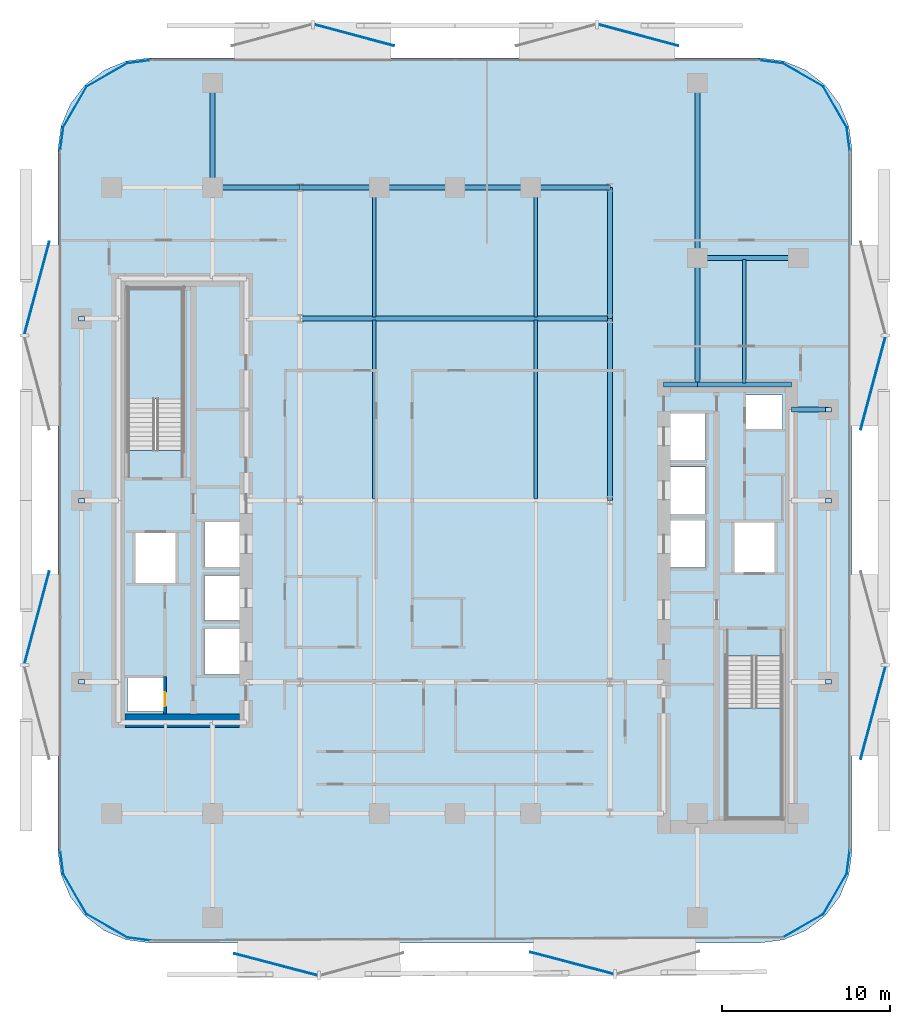
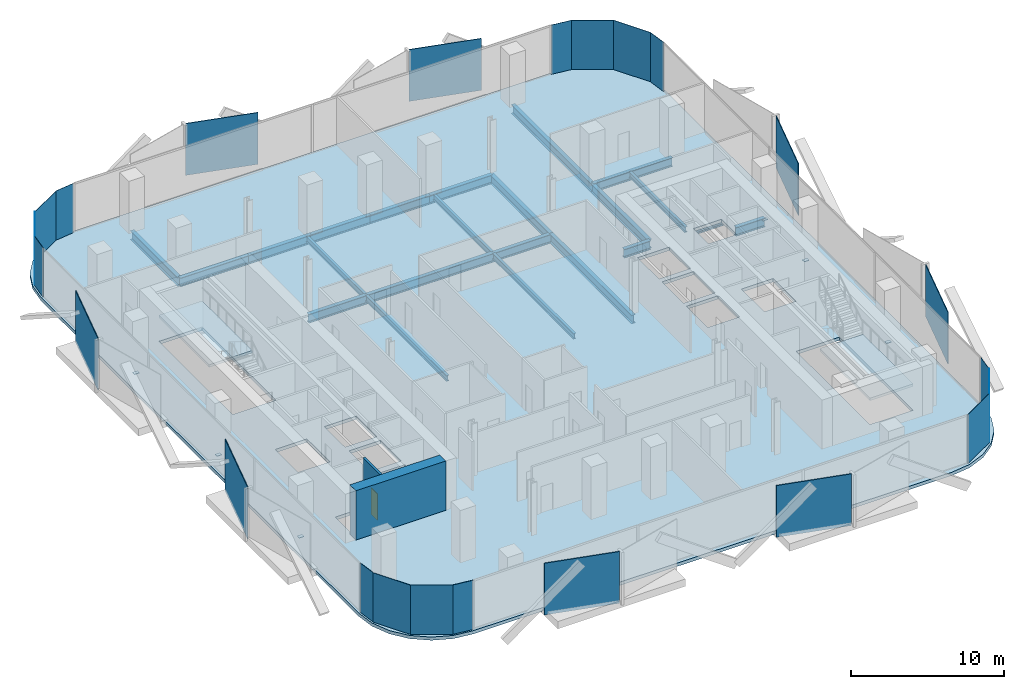
# One storey, part 2 of 15: 29 plates, 20 beams, 3 slabs, 2 walls, 1 door, 1 opening, 2 elements without a shape of their own.
"""IFC4 building model written with IfcOpenShell, lengths in metres."""

from ifc_helpers import new_model, si_unit, direction, frame, frame_2d, origin, origin_2d, place, context, subcontext, project, spatial, polyline, rectangle, i_section, outline, extrude, material, layer, layer_set, material_profile, profile_set, type_object, element, fill, aggregate, save


model = new_model("IFC4")

# Units and contexts
model_context = context("Model", 3, precision=1e-05, world=origin(), true_north=direction((0.0, 1.0)))
body_context = subcontext(model_context, "Body", "Model", "MODEL_VIEW")
ifc_project = project(units=[si_unit("LENGTHUNIT", "METRE"), si_unit("AREAUNIT", "SQUARE_METRE"), si_unit("VOLUMEUNIT", "CUBIC_METRE"), si_unit("PLANEANGLEUNIT", "RADIAN"), si_unit("MASSUNIT", "GRAM", prefix="KILO")], contexts=[model_context])

# Site, building, storey
site_placement = place(None, origin())
site = spatial("IfcSite", under=ifc_project, at=site_placement, CompositionType="ELEMENT")
building_placement = place(site_placement, origin())
building = spatial("IfcBuilding", under=site, at=building_placement, Name="Khairoan Windgate Tower", CompositionType="ELEMENT")
storey_placement = place(building_placement, frame((0.0, 0.0, 105.800048828125)))
storey = spatial("IfcBuildingStorey", under=building, at=storey_placement, Name="L24", CompositionType="ELEMENT", Elevation=105.800048828125)

# Beams
ifc_material_1 = material(Name="Steel S355", Category="steel")
ifc_material_profile_1 = material_profile(ifc_material_1, i_section(OverallWidth=0.300048828125, OverallDepth=0.699951171875, WebThickness=0.012939453125, FlangeThickness=0.02392578125, FilletRadius=0.02587890625, at=origin_2d()))
ifc_profile_set_1 = profile_set([ifc_material_profile_1], Name="Steel S355")
beam_type_1 = type_object("IfcBeamType", Name="Beam B-G3 H700x300x13x24", PredefinedType="BEAM", material=ifc_profile_set_1)
beam_1_placement = place(storey_placement, frame((20.0, 5.39990234375, -0.610107421875), z_axis=(1.0, 0.0, 0.0), x_axis=(0.0, 1.0, 0.0)))
element("IfcBeam", 1, at=beam_1_placement, inside=storey, type_object=beam_type_1, Name="L24 E-W Primary Girder 19", PredefinedType="BEAM", context=body_context, shape_type="SweptSolid", body=[
    extrude(i_section(OverallWidth=0.300048828125, OverallDepth=0.699951171875, WebThickness=0.012939453125, FlangeThickness=0.02392578125, FilletRadius=0.02587890625, at=origin_2d()), origin(), (0.0, 0.0, 1.0), 2.199951171875),
])
beam_2_placement = place(storey_placement, frame((12.39990234375, 6.89990234375, -0.610107421875), z_axis=(1.0, 0.0, 0.0), x_axis=(0.0, 1.0, 0.0)))
element("IfcBeam", 2, at=beam_2_placement, inside=storey, type_object=beam_type_1, Name="L24 E-W Primary Girder 20", PredefinedType="BEAM", context=body_context, shape_type="SweptSolid", body=[
    extrude(i_section(OverallWidth=0.300048828125, OverallDepth=0.699951171875, WebThickness=0.012939453125, FlangeThickness=0.02392578125, FilletRadius=0.02587890625, at=origin_2d()), origin(), (0.0, 0.0, 1.0), 2.0),
])
beam_3_placement = place(storey_placement, frame((14.39990234375, 6.89990234375, -0.610107421875), z_axis=(1.0, 0.0, 0.0), x_axis=(0.0, 1.0, 0.0)))
element("IfcBeam", 3, at=beam_3_placement, inside=storey, type_object=beam_type_1, Name="L24 E-W Primary Girder 21", PredefinedType="BEAM", context=body_context, shape_type="SweptSolid", body=[
    extrude(i_section(OverallWidth=0.300048828125, OverallDepth=0.699951171875, WebThickness=0.012939453125, FlangeThickness=0.02392578125, FilletRadius=0.02587890625, at=origin_2d()), origin(), (0.0, 0.0, 1.0), 5.60009765625),
])
beam_4_placement = place(storey_placement, frame((-9.199951171875, 10.800048828125, -0.610107421875), z_axis=(1.0, 0.0, 0.0), x_axis=(0.0, 1.0, 0.0)))
element("IfcBeam", 4, at=beam_4_placement, inside=storey, type_object=beam_type_1, Name="L24 E-W Primary Girder 24", PredefinedType="BEAM", context=body_context, shape_type="SweptSolid", body=[
    extrude(i_section(OverallWidth=0.300048828125, OverallDepth=0.699951171875, WebThickness=0.012939453125, FlangeThickness=0.02392578125, FilletRadius=0.02587890625, at=origin_2d()), origin(), (0.0, 0.0, 1.0), 18.39990234375),
])
beam_5_placement = place(storey_placement, frame((14.39990234375, 14.39990234375, -0.610107421875), z_axis=(1.0, 0.0, 0.0), x_axis=(0.0, 1.0, 0.0)))
element("IfcBeam", 5, at=beam_5_placement, inside=storey, type_object=beam_type_1, Name="L24 E-W Primary Girder 27", PredefinedType="BEAM", context=body_context, shape_type="SweptSolid", body=[
    extrude(i_section(OverallWidth=0.300048828125, OverallDepth=0.699951171875, WebThickness=0.012939453125, FlangeThickness=0.02392578125, FilletRadius=0.02587890625, at=origin_2d()), origin(), (0.0, 0.0, 1.0), 6.0),
])
beam_6_placement = place(storey_placement, frame((-14.39990234375, 18.60009765625, -0.610107421875), z_axis=(1.0, 0.0, 0.0), x_axis=(0.0, 1.0, 0.0)))
element("IfcBeam", 6, at=beam_6_placement, inside=storey, type_object=beam_type_1, Name="L24 E-W Primary Girder 29", PredefinedType="BEAM", context=body_context, shape_type="SweptSolid", body=[
    extrude(i_section(OverallWidth=0.300048828125, OverallDepth=0.699951171875, WebThickness=0.012939453125, FlangeThickness=0.02392578125, FilletRadius=0.02587890625, at=origin_2d()), origin(), (0.0, 0.0, 1.0), 5.199951171875),
])
beam_7_placement = place(storey_placement, frame((-9.199951171875, 18.60009765625, -0.610107421875), z_axis=(1.0, 0.0, 0.0), x_axis=(0.0, 1.0, 0.0)))
element("IfcBeam", 7, at=beam_7_placement, inside=storey, type_object=beam_type_1, Name="L24 E-W Primary Girder 30", PredefinedType="BEAM", context=body_context, shape_type="SweptSolid", body=[
    extrude(i_section(OverallWidth=0.300048828125, OverallDepth=0.699951171875, WebThickness=0.012939453125, FlangeThickness=0.02392578125, FilletRadius=0.02587890625, at=origin_2d()), origin(), (0.0, 0.0, 1.0), 4.699951171875),
])
for number, where, z_axis, x_axis, name in (
    (8, (-4.5, 18.60009765625, -0.610107421875), (1.0, 0.0, 0.0), (0.0, 1.0, 0.0), "L24 E-W Primary Girder 31"),
    (9, (0.0, 18.60009765625, -0.610107421875), (1.0, 0.0, 0.0), (0.0, 1.0, 0.0), "L24 E-W Primary Girder 32"),
):
    element("IfcBeam", number, at=place(storey_placement, frame(where, z_axis=z_axis, x_axis=x_axis)), inside=storey, type_object=beam_type_1, Name=name, PredefinedType="BEAM", context=body_context, shape_type="SweptSolid", body=[
        extrude(i_section(OverallWidth=0.300048828125, OverallDepth=0.699951171875, WebThickness=0.012939453125, FlangeThickness=0.02392578125, FilletRadius=0.02587890625, at=origin_2d()), origin(), (0.0, 0.0, 1.0), 4.5),
    ])
beam_8_placement = place(storey_placement, frame((4.5, 18.60009765625, -0.610107421875), z_axis=(1.0, 0.0, 0.0), x_axis=(0.0, 1.0, 0.0)))
element("IfcBeam", 10, at=beam_8_placement, inside=storey, type_object=beam_type_1, Name="L24 E-W Primary Girder 33", PredefinedType="BEAM", context=body_context, shape_type="SweptSolid", body=[
    extrude(i_section(OverallWidth=0.300048828125, OverallDepth=0.699951171875, WebThickness=0.012939453125, FlangeThickness=0.02392578125, FilletRadius=0.02587890625, at=origin_2d()), origin(), (0.0, 0.0, 1.0), 4.699951171875),
])
beam_9_placement = place(storey_placement, frame((-14.39990234375, 18.60009765625, -0.610107421875), z_axis=(0.0, 1.0, 0.0), x_axis=(-1.0, 0.0, 0.0)))
element("IfcBeam", 11, at=beam_9_placement, inside=storey, type_object=beam_type_1, Name="L24 N-S Primary Beam 43", PredefinedType="BEAM", context=body_context, shape_type="SweptSolid", body=[
    extrude(i_section(OverallWidth=0.300048828125, OverallDepth=0.699951171875, WebThickness=0.012939453125, FlangeThickness=0.02392578125, FilletRadius=0.02587890625, at=origin_2d()), origin(), (0.0, 0.0, 1.0), 6.199951171875),
])
beam_10_placement = place(storey_placement, frame((9.199951171875, 0.0, -0.610107421875), z_axis=(0.0, 1.0, 0.0), x_axis=(-1.0, 0.0, 0.0)))
element("IfcBeam", 12, at=beam_10_placement, inside=storey, type_object=beam_type_1, Name="L24 N-S Primary Beam 53", PredefinedType="BEAM", context=body_context, shape_type="SweptSolid", body=[
    extrude(i_section(OverallWidth=0.300048828125, OverallDepth=0.699951171875, WebThickness=0.012939453125, FlangeThickness=0.02392578125, FilletRadius=0.02587890625, at=origin_2d()), origin(), (0.0, 0.0, 1.0), 10.800048828125),
])
beam_11_placement = place(storey_placement, frame((9.199951171875, 10.800048828125, -0.610107421875), z_axis=(0.0, 1.0, 0.0), x_axis=(-1.0, 0.0, 0.0)))
element("IfcBeam", 13, at=beam_11_placement, inside=storey, type_object=beam_type_1, Name="L24 N-S Primary Beam 54", PredefinedType="BEAM", context=body_context, shape_type="SweptSolid", body=[
    extrude(i_section(OverallWidth=0.300048828125, OverallDepth=0.699951171875, WebThickness=0.012939453125, FlangeThickness=0.02392578125, FilletRadius=0.02587890625, at=origin_2d()), origin(), (0.0, 0.0, 1.0), 7.800048828125),
])
beam_12_placement = place(storey_placement, frame((14.39990234375, 6.89990234375, -0.610107421875), z_axis=(0.0, 1.0, 0.0), x_axis=(-1.0, 0.0, 0.0)))
element("IfcBeam", 14, at=beam_12_placement, inside=storey, type_object=beam_type_1, Name="L24 N-S Primary Beam 57", PredefinedType="BEAM", context=body_context, shape_type="SweptSolid", body=[
    extrude(i_section(OverallWidth=0.300048828125, OverallDepth=0.699951171875, WebThickness=0.012939453125, FlangeThickness=0.02392578125, FilletRadius=0.02587890625, at=origin_2d()), origin(), (0.0, 0.0, 1.0), 7.5),
])
beam_13_placement = place(storey_placement, frame((14.39990234375, 14.39990234375, -0.610107421875), z_axis=(0.0, 1.0, 0.0), x_axis=(-1.0, 0.0, 0.0)))
element("IfcBeam", 15, at=beam_13_placement, inside=storey, type_object=beam_type_1, Name="L24 N-S Primary Beam 58", PredefinedType="BEAM", context=body_context, shape_type="SweptSolid", body=[
    extrude(i_section(OverallWidth=0.300048828125, OverallDepth=0.699951171875, WebThickness=0.012939453125, FlangeThickness=0.02392578125, FilletRadius=0.02587890625, at=origin_2d()), origin(), (0.0, 0.0, 1.0), 10.400146484375),
])
ifc_material_2 = material(Name="Steel S355", Category="steel")
ifc_material_profile_2 = material_profile(ifc_material_2, i_section(OverallWidth=0.199951171875, OverallDepth=0.449951171875, WebThickness=0.009033203125, FlangeThickness=0.013916015625, FilletRadius=0.01806640625, at=origin_2d()))
ifc_profile_set_2 = profile_set([ifc_material_profile_2], Name="Steel S355")
beam_type_2 = type_object("IfcBeamType", Name="Beam J-S3 H450x200x9x14", PredefinedType="JOIST", material=ifc_profile_set_2)
beam_14_placement = place(storey_placement, frame((-4.800048828125, 0.090087890625, -0.485107421875), z_axis=(0.0, 1.0, 0.0), x_axis=(-1.0, 0.0, 0.0)))
element("IfcBeam", 16, at=beam_14_placement, inside=storey, type_object=beam_type_2, Name="L24 Secondary Floor Joist 05", PredefinedType="JOIST", context=body_context, shape_type="SweptSolid", body=[
    extrude(i_section(OverallWidth=0.199951171875, OverallDepth=0.449951171875, WebThickness=0.009033203125, FlangeThickness=0.013916015625, FilletRadius=0.01806640625, at=origin_2d()), origin(), (0.0, 0.0, 1.0), 10.619873046875),
])
beam_15_placement = place(storey_placement, frame((-4.800048828125, 10.889892578125, -0.485107421875), z_axis=(0.0, 1.0, 0.0), x_axis=(-1.0, 0.0, 0.0)))
element("IfcBeam", 17, at=beam_15_placement, inside=storey, type_object=beam_type_2, Name="L24 Secondary Floor Joist 06", PredefinedType="JOIST", context=body_context, shape_type="SweptSolid", body=[
    extrude(i_section(OverallWidth=0.199951171875, OverallDepth=0.449951171875, WebThickness=0.009033203125, FlangeThickness=0.013916015625, FilletRadius=0.01806640625, at=origin_2d()), origin(), (0.0, 0.0, 1.0), 7.6201171875),
])
beam_16_placement = place(storey_placement, frame((4.800048828125, 0.090087890625, -0.485107421875), z_axis=(0.0, 1.0, 0.0), x_axis=(-1.0, 0.0, 0.0)))
element("IfcBeam", 18, at=beam_16_placement, inside=storey, type_object=beam_type_2, Name="L24 Secondary Floor Joist 09", PredefinedType="JOIST", context=body_context, shape_type="SweptSolid", body=[
    extrude(i_section(OverallWidth=0.199951171875, OverallDepth=0.449951171875, WebThickness=0.009033203125, FlangeThickness=0.013916015625, FilletRadius=0.01806640625, at=origin_2d()), origin(), (0.0, 0.0, 1.0), 10.619873046875),
])
beam_17_placement = place(storey_placement, frame((4.800048828125, 10.889892578125, -0.485107421875), z_axis=(0.0, 1.0, 0.0), x_axis=(-1.0, 0.0, 0.0)))
element("IfcBeam", 19, at=beam_17_placement, inside=storey, type_object=beam_type_2, Name="L24 Secondary Floor Joist 10", PredefinedType="JOIST", context=body_context, shape_type="SweptSolid", body=[
    extrude(i_section(OverallWidth=0.199951171875, OverallDepth=0.449951171875, WebThickness=0.009033203125, FlangeThickness=0.013916015625, FilletRadius=0.01806640625, at=origin_2d()), origin(), (0.0, 0.0, 1.0), 7.6201171875),
])
beam_18_placement = place(storey_placement, frame((17.199951171875, 6.989990234375, -0.485107421875), z_axis=(0.0, 1.0, 0.0), x_axis=(-1.0, 0.0, 0.0)))
element("IfcBeam", 20, at=beam_18_placement, inside=storey, type_object=beam_type_2, Name="L24 Secondary Floor Joist 11", PredefinedType="JOIST", context=body_context, shape_type="SweptSolid", body=[
    extrude(i_section(OverallWidth=0.199951171875, OverallDepth=0.449951171875, WebThickness=0.009033203125, FlangeThickness=0.013916015625, FilletRadius=0.01806640625, at=origin_2d()), origin(), (0.0, 0.0, 1.0), 7.320068359375),
])

# Plates
ifc_material_3 = material(Name="Low-E Solar Control Laminated Glass", Category="glass")
ifc_layer_1 = layer(ifc_material_3, 0.030029296875, Name="Low-E Solar Control Laminated Glass")
ifc_layer_set_1 = layer_set([ifc_layer_1], Name="Low-E Solar Control Laminated Glass")
plate_type_1 = type_object("IfcPlateType", Name="Aerodynamic Wind-Corner Curved Glazing Plate", PredefinedType="USERDEFINED", material=ifc_layer_set_1)
plate_placement = place(storey_placement, frame((-18.788818359375, -26.068115234375, 0.0), z_axis=(0.0, 0.0, 1.0), x_axis=(-0.991444861374, 0.13052619222, 0.0)))
element("IfcPlate", 21, at=plate_placement, inside=storey, type_object=plate_type_1, Name="L24 Aerodynamic Wind-Corner Curved Glazing Panel 2", ObjectType="GLAZING PANEL", PredefinedType="USERDEFINED", context=body_context, shape_type="SweptSolid", body=[
    extrude(rectangle(XDim=1.4482421875, YDim=0.028076171875, at=origin_2d()), origin(), (0.0, 0.0, 1.0), 3.93994140625),
])
for number, where, z_axis, x_axis, name in (
    (22, (-20.688232421875, -25.28271484375, 0.0), (0.0, 0.0, 1.0), (-0.866025403784, 0.5, 0.0), "L24 Aerodynamic Wind-Corner Curved Glazing Panel 3"),
    (23, (-22.582763671875, -23.38818359375, 0.0), (0.0, 0.0, 1.0), (-0.5, 0.866025403784, 0.0), "L24 Aerodynamic Wind-Corner Curved Glazing Panel 4"),
):
    element("IfcPlate", number, at=place(storey_placement, frame(where, z_axis=z_axis, x_axis=x_axis)), inside=storey, type_object=plate_type_1, Name=name, ObjectType="GLAZING PANEL", PredefinedType="USERDEFINED", context=body_context, shape_type="SweptSolid", body=[
        extrude(rectangle(XDim=2.81396484375, YDim=0.028076171875, at=origin_2d()), origin(), (0.0, 0.0, 1.0), 3.93994140625),
    ])
for number, where, z_axis, x_axis, name in (
    (24, (-23.3681640625, -21.489013671875, 0.0), (0.0, 0.0, 1.0), (-0.13052619222, 0.991444861374, 0.0), "L24 Aerodynamic Wind-Corner Curved Glazing Panel 5"),
    (25, (-23.3681640625, 21.489013671875, 0.0), (0.0, 0.0, 1.0), (0.13052619222, 0.991444861374, 0.0), "L24 Aerodynamic Wind-Corner Curved Glazing Panel 7"),
):
    element("IfcPlate", number, at=place(storey_placement, frame(where, z_axis=z_axis, x_axis=x_axis)), inside=storey, type_object=plate_type_1, Name=name, ObjectType="GLAZING PANEL", PredefinedType="USERDEFINED", context=body_context, shape_type="SweptSolid", body=[
        extrude(rectangle(XDim=1.4482421875, YDim=0.028076171875, at=origin_2d()), origin(), (0.0, 0.0, 1.0), 3.93994140625),
    ])
for number, where, z_axis, x_axis, name in (
    (26, (-22.582763671875, 23.38818359375, 0.0), (0.0, 0.0, 1.0), (0.5, 0.866025403784, 0.0), "L24 Aerodynamic Wind-Corner Curved Glazing Panel 8"),
    (27, (-20.688232421875, 25.28271484375, 0.0), (0.0, 0.0, 1.0), (0.866025403784, 0.5, 0.0), "L24 Aerodynamic Wind-Corner Curved Glazing Panel 9"),
):
    element("IfcPlate", number, at=place(storey_placement, frame(where, z_axis=z_axis, x_axis=x_axis)), inside=storey, type_object=plate_type_1, Name=name, ObjectType="GLAZING PANEL", PredefinedType="USERDEFINED", context=body_context, shape_type="SweptSolid", body=[
        extrude(rectangle(XDim=2.81396484375, YDim=0.028076171875, at=origin_2d()), origin(), (0.0, 0.0, 1.0), 3.93994140625),
    ])
for number, where, z_axis, x_axis, name in (
    (28, (-18.788818359375, 26.068115234375, 0.0), (0.0, 0.0, 1.0), (0.991444861374, 0.13052619222, 0.0), "L24 Aerodynamic Wind-Corner Curved Glazing Panel 10"),
    (29, (18.788818359375, 26.068115234375, 0.0), (0.0, 0.0, 1.0), (0.991444861374, -0.13052619222, 0.0), "L24 Aerodynamic Wind-Corner Curved Glazing Panel 12"),
):
    element("IfcPlate", number, at=place(storey_placement, frame(where, z_axis=z_axis, x_axis=x_axis)), inside=storey, type_object=plate_type_1, Name=name, ObjectType="GLAZING PANEL", PredefinedType="USERDEFINED", context=body_context, shape_type="SweptSolid", body=[
        extrude(rectangle(XDim=1.4482421875, YDim=0.028076171875, at=origin_2d()), origin(), (0.0, 0.0, 1.0), 3.93994140625),
    ])
for number, where, z_axis, x_axis, name in (
    (30, (20.688232421875, 25.28271484375, 0.0), (0.0, 0.0, 1.0), (0.866025403784, -0.5, 0.0), "L24 Aerodynamic Wind-Corner Curved Glazing Panel 13"),
    (31, (22.582763671875, 23.38818359375, 0.0), (0.0, 0.0, 1.0), (0.5, -0.866025403784, 0.0), "L24 Aerodynamic Wind-Corner Curved Glazing Panel 14"),
):
    element("IfcPlate", number, at=place(storey_placement, frame(where, z_axis=z_axis, x_axis=x_axis)), inside=storey, type_object=plate_type_1, Name=name, ObjectType="GLAZING PANEL", PredefinedType="USERDEFINED", context=body_context, shape_type="SweptSolid", body=[
        extrude(rectangle(XDim=2.81396484375, YDim=0.028076171875, at=origin_2d()), origin(), (0.0, 0.0, 1.0), 3.93994140625),
    ])
for number, where, z_axis, x_axis, name in (
    (32, (23.3681640625, 21.489013671875, 0.0), (0.0, 0.0, 1.0), (0.13052619222, -0.991444861374, 0.0), "L24 Aerodynamic Wind-Corner Curved Glazing Panel 15"),
    (33, (23.3681640625, -21.489013671875, 0.0), (0.0, 0.0, 1.0), (-0.13052619222, -0.991444861374, 0.0), "L24 Aerodynamic Wind-Corner Curved Glazing Panel 17"),
):
    element("IfcPlate", number, at=place(storey_placement, frame(where, z_axis=z_axis, x_axis=x_axis)), inside=storey, type_object=plate_type_1, Name=name, ObjectType="GLAZING PANEL", PredefinedType="USERDEFINED", context=body_context, shape_type="SweptSolid", body=[
        extrude(rectangle(XDim=1.4482421875, YDim=0.028076171875, at=origin_2d()), origin(), (0.0, 0.0, 1.0), 3.93994140625),
    ])
for number, where, z_axis, x_axis, name in (
    (34, (22.582763671875, -23.38818359375, 0.0), (0.0, 0.0, 1.0), (-0.5, -0.866025403784, 0.0), "L24 Aerodynamic Wind-Corner Curved Glazing Panel 18"),
    (35, (20.688232421875, -25.28271484375, 0.0), (0.0, 0.0, 1.0), (-0.866025403784, -0.5, 0.0), "L24 Aerodynamic Wind-Corner Curved Glazing Panel 19"),
):
    element("IfcPlate", number, at=place(storey_placement, frame(where, z_axis=z_axis, x_axis=x_axis)), inside=storey, type_object=plate_type_1, Name=name, ObjectType="GLAZING PANEL", PredefinedType="USERDEFINED", context=body_context, shape_type="SweptSolid", body=[
        extrude(rectangle(XDim=2.81396484375, YDim=0.028076171875, at=origin_2d()), origin(), (0.0, 0.0, 1.0), 3.93994140625),
    ])
ifc_material_4 = material(Name="Steel S355", Category="steel")
ifc_layer_2 = layer(ifc_material_4, 0.0400390625, Name="Steel S355")
ifc_layer_set_2 = layer_set([ifc_layer_2], Name="Steel S355")
plate_type_2 = type_object("IfcPlateType", Name="Hollow Section End-Cap Plate PL-CAP40", PredefinedType="SHEET", material=ifc_layer_set_2)
for number, where, z_axis, x_axis, name in (
    (36, (-22.199951171875, -10.784912109375, -0.455078125), (0.0, 0.0, 1.0), (0.0, 1.0, 0.0), "BM-SP-L24-034 steel end-cap plate 1"),
    (37, (-22.199951171875, -0.014892578125, -0.455078125), (0.0, 0.0, 1.0), (0.0, 1.0, 0.0), "BM-SP-L24-034 steel end-cap plate 2"),
    (38, (-22.199951171875, 10.784912109375, -0.455078125), (0.0, 0.0, 1.0), (0.0, 1.0, 0.0), "BM-SP-L24-035 steel end-cap plate 2"),
    (39, (22.199951171875, -10.784912109375, -0.455078125), (0.0, 0.0, 1.0), (0.0, 1.0, 0.0), "BM-SP-L24-062 steel end-cap plate 1"),
    (40, (22.199951171875, -0.014892578125, -0.455078125), (0.0, 0.0, 1.0), (0.0, 1.0, 0.0), "BM-SP-L24-062 steel end-cap plate 2"),
    (41, (22.199951171875, 5.385009765625, -0.455078125), (0.0, 0.0, 1.0), (0.0, 1.0, 0.0), "BM-SP-L24-063 steel end-cap plate 2"),
):
    element("IfcPlate", number, at=place(storey_placement, frame(where, z_axis=z_axis, x_axis=x_axis)), inside=storey, type_object=plate_type_2, Name=name, PredefinedType="SHEET", context=body_context, shape_type="SweptSolid", body=[
        extrude(rectangle(XDim=0.27001953125, YDim=0.3701171875, at=origin_2d()), origin(), (0.0, 0.0, 1.0), 0.0400390625),
    ])
ifc_material_5 = material(Name="Anodised Bronze Aluminium 6063-T6", Category="aluminium")
ifc_layer_3 = layer(ifc_material_5, 0.054931640625, Name="Anodised Bronze Aluminium 6063-T6")
ifc_layer_set_3 = layer_set([ifc_layer_3], Name="Anodised Bronze Aluminium 6063-T6")
plate_type_3 = type_object("IfcPlateType", Name="Perforated Bronze Solar Screen Panel BSP-1", PredefinedType="USERDEFINED", material=ifc_layer_set_3)
for number, where, z_axis, x_axis, name in (
    (42, (6.946044921875, -27.497314453125, -0.10009765625), (0.0, 0.0, 1.0), (-0.967179115616, 0.254095569259, 0.0), "L24 Perforated Bronze Solar Screen Panel 137R"),
    (43, (-10.642822265625, -27.58349609375, -0.10009765625), (0.0, 0.0, 1.0), (-0.967179115616, 0.254095569259, 0.0), "L24 Perforated Bronze Solar Screen Panel 138R"),
):
    element("IfcPlate", number, at=place(storey_placement, frame(where, z_axis=z_axis, x_axis=x_axis)), inside=storey, type_object=plate_type_3, Name=name, ObjectType="SCREEN", PredefinedType="USERDEFINED", context=body_context, shape_type="SweptSolid", body=[
        extrude(rectangle(XDim=5.10107421875, YDim=0.054931640625, at=origin_2d()), origin(), (0.0, 0.0, 1.0), 4.139892578125),
    ])
for number, where, z_axis, x_axis, name in (
    (44, (-24.8447265625, -6.961669921875, -0.10009765625), (0.0, 0.0, 1.0), (0.258819045103, 0.965925826289, 0.0), "L24 Perforated Bronze Solar Screen Panel 139R"),
    (45, (-24.8447265625, 12.629150390625, -0.10009765625), (0.0, 0.0, 1.0), (0.258819045103, 0.965925826289, 0.0), "L24 Perforated Bronze Solar Screen Panel 140R"),
):
    element("IfcPlate", number, at=place(storey_placement, frame(where, z_axis=z_axis, x_axis=x_axis)), inside=storey, type_object=plate_type_3, Name=name, ObjectType="SCREEN", PredefinedType="USERDEFINED", context=body_context, shape_type="SweptSolid", body=[
        extrude(rectangle(XDim=5.680908203125, YDim=0.054931640625, at=origin_2d()), origin(), (0.0, 0.0, 1.0), 4.139892578125),
    ])
for number, where, z_axis, x_axis, name in (
    (46, (-5.98974609375, 27.646240234375, -0.10009765625), (0.0, 0.0, 1.0), (0.965925826289, -0.258819045103, 0.0), "L24 Perforated Bronze Solar Screen Panel 141R"),
    (47, (10.90087890625, 27.646240234375, -0.10009765625), (0.0, 0.0, 1.0), (0.965925826289, -0.258819045103, 0.0), "L24 Perforated Bronze Solar Screen Panel 142R"),
):
    element("IfcPlate", number, at=place(storey_placement, frame(where, z_axis=z_axis, x_axis=x_axis)), inside=storey, type_object=plate_type_3, Name=name, ObjectType="SCREEN", PredefinedType="USERDEFINED", context=body_context, shape_type="SweptSolid", body=[
        extrude(rectangle(XDim=4.89794921875, YDim=0.054931640625, at=origin_2d()), origin(), (0.0, 0.0, 1.0), 4.139892578125),
    ])
for number, where, z_axis, x_axis, name in (
    (48, (24.8447265625, 6.961669921875, -0.10009765625), (0.0, 0.0, 1.0), (-0.258819045103, -0.965925826289, 0.0), "L24 Perforated Bronze Solar Screen Panel 143R"),
    (49, (24.8447265625, -12.629150390625, -0.10009765625), (0.0, 0.0, 1.0), (-0.258819045103, -0.965925826289, 0.0), "L24 Perforated Bronze Solar Screen Panel 144R"),
):
    element("IfcPlate", number, at=place(storey_placement, frame(where, z_axis=z_axis, x_axis=x_axis)), inside=storey, type_object=plate_type_3, Name=name, ObjectType="SCREEN", PredefinedType="USERDEFINED", context=body_context, shape_type="SweptSolid", body=[
        extrude(rectangle(XDim=5.680908203125, YDim=0.054931640625, at=origin_2d()), origin(), (0.0, 0.0, 1.0), 4.139892578125),
    ])

# Stair, slab
ifc_material_6 = material(Name="Concrete C40/50", Category="concrete")
stair_type = type_object("IfcStairType", Name="Tower Core Dog-Leg Stair ST-T1 1560mm", PredefinedType="HALF_TURN_STAIR", material=ifc_material_6)
stair_1_placement = place(storey_placement, origin())
stair_1 = element("IfcStair", 50, at=stair_1_placement, inside=storey, type_object=stair_type, Name="L24 Stair ST1", PredefinedType="HALF_TURN_STAIR")
ifc_material_7 = material(Name="Concrete C40/50", Category="concrete")
ifc_layer_4 = layer(ifc_material_7, 0.199951171875, Name="Concrete C40/50")
ifc_layer_set_4 = layer_set([ifc_layer_4], Name="Concrete C40/50")
slab_type_1 = type_object("IfcSlabType", Name="Reinforced Concrete Stair Landing Slab STL-200", PredefinedType="LANDING", material=ifc_layer_set_4)
slab_1_placement = place(storey_placement, frame((0.0, 0.0, 1.89990234375)))
slab_1 = element("IfcSlab", 51, at=slab_1_placement, type_object=slab_type_1, Name="ST1 landing 1", PredefinedType="LANDING", context=body_context, shape_type="SweptSolid", body=[
    extrude(outline(polyline([(16.14990234375, -12.340087890625), (16.14990234375, -18.89990234375), (19.419921875, -18.89990234375), (19.419921875, -12.340087890625), (16.14990234375, -12.340087890625)])), origin(), (0.0, 0.0, 1.0), 0.199951171875),
])
aggregate(stair_1, [slab_1])

stair_2_placement = place(storey_placement, origin())
stair_2 = element("IfcStair", 52, at=stair_2_placement, inside=storey, type_object=stair_type, Name="L24 Stair ST2", PredefinedType="HALF_TURN_STAIR")
slab_2_placement = place(storey_placement, frame((0.0, 0.0, 1.89990234375)))
slab_2 = element("IfcSlab", 53, at=slab_2_placement, type_object=slab_type_1, Name="ST2 landing 1", PredefinedType="LANDING", context=body_context, shape_type="SweptSolid", body=[
    extrude(outline(polyline([(-16.14990234375, 6.0400390625), (-16.14990234375, 12.60009765625), (-19.419921875, 12.60009765625), (-19.419921875, 6.0400390625), (-16.14990234375, 6.0400390625)])), origin(), (0.0, 0.0, 1.0), 0.199951171875),
])
aggregate(stair_2, [slab_2])

# Slab
ifc_material_8 = material(Name="Concrete C40/50", Category="concrete")
ifc_layer_5 = layer(ifc_material_8, 0.260009765625, Name="Concrete C40/50")
ifc_layer_set_5 = layer_set([ifc_layer_5], Name="Concrete C40/50")
slab_type_2 = type_object("IfcSlabType", Name="Tower Composite Floor Slab FS2 260mm", PredefinedType="FLOOR", material=ifc_layer_set_5)
slab_3_placement = place(storey_placement, frame((0.0, 0.0, -0.260009765625)))
element("IfcSlab", 54, at=slab_3_placement, inside=storey, type_object=slab_type_2, Name="L24 Structural Floor Slab", PredefinedType="FLOOR", context=body_context, shape_type="SweptSolid", body=[
    extrude(outline(polyline([(18.10009765625, -26.300048828125), (19.5234375, -26.112548828125), (20.85009765625, -25.56298828125), (21.989013671875, -24.689208984375), (22.863037109375, -23.550048828125), (23.41259765625, -22.223388671875), (23.60009765625, -20.800048828125), (23.60009765625, 20.800048828125), (23.41259765625, 22.223388671875), (22.863037109375, 23.550048828125), (21.989013671875, 24.689208984375), (20.85009765625, 25.56298828125), (19.5234375, 26.112548828125), (18.10009765625, 26.300048828125), (-18.10009765625, 26.300048828125), (-19.5234375, 26.112548828125), (-20.85009765625, 25.56298828125), (-21.989013671875, 24.689208984375), (-22.863037109375, 23.550048828125), (-23.41259765625, 22.223388671875), (-23.60009765625, 20.800048828125), (-23.60009765625, -20.800048828125), (-23.41259765625, -22.223388671875), (-22.863037109375, -23.550048828125), (-21.989013671875, -24.689208984375), (-20.85009765625, -25.56298828125), (-19.5234375, -26.112548828125), (-18.10009765625, -26.300048828125), (18.10009765625, -26.300048828125)]), holes=[polyline([(16.14990234375, -9.260009765625), (16.14990234375, -18.89990234375), (19.419921875, -18.89990234375), (19.419921875, -9.260009765625), (16.14990234375, -9.260009765625)]), polyline([(-16.14990234375, 2.9599609375), (-16.14990234375, 12.60009765625), (-19.419921875, 12.60009765625), (-19.419921875, 2.9599609375), (-16.14990234375, 2.9599609375)]), polyline([(-14.89990234375, -3.949951171875), (-12.5, -3.949951171875), (-12.5, -1.25), (-14.89990234375, -1.25), (-14.89990234375, -3.949951171875)]), polyline([(-14.89990234375, -7.14990234375), (-12.5, -7.14990234375), (-12.5, -4.449951171875), (-14.89990234375, -4.449951171875), (-14.89990234375, -7.14990234375)]), polyline([(-14.89990234375, -10.35009765625), (-12.5, -10.35009765625), (-12.5, -7.64990234375), (-14.89990234375, -7.64990234375), (-14.89990234375, -10.35009765625)]), polyline([(12.5, 2.39990234375), (14.89990234375, 2.39990234375), (14.89990234375, 5.199951171875), (12.5, 5.199951171875), (12.5, 2.39990234375)]), polyline([(12.5, -0.800048828125), (14.89990234375, -0.800048828125), (14.89990234375, 2.0), (12.5, 2.0), (12.5, -0.800048828125)]), polyline([(12.5, -4.0), (14.89990234375, -4.0), (14.89990234375, -1.199951171875), (12.5, -1.199951171875), (12.5, -4.0)]), polyline([(16.60009765625, -4.300048828125), (19.0, -4.300048828125), (19.0, -1.300048828125), (16.60009765625, -1.300048828125), (16.60009765625, -4.300048828125)]), polyline([(-19.0, -4.89990234375), (-16.60009765625, -4.89990234375), (-16.60009765625, -1.89990234375), (-19.0, -1.89990234375), (-19.0, -4.89990234375)]), polyline([(-19.449951171875, -12.550048828125), (-17.31005859375, -12.550048828125), (-17.31005859375, -10.550048828125), (-19.449951171875, -10.550048828125), (-19.449951171875, -12.550048828125)]), polyline([(17.31005859375, 4.25), (19.449951171875, 4.25), (19.449951171875, 6.25), (17.31005859375, 6.25), (17.31005859375, 4.25)])]), origin(), (0.0, 0.0, 1.0), 0.260009765625),
])

# Wall, opening, door
ifc_material_9 = material(Name="Concrete C40/50", Category="concrete")
ifc_layer_6 = layer(ifc_material_9, 0.159912109375, Name="Concrete C40/50")
ifc_layer_set_6 = layer_set([ifc_layer_6], Name="Concrete C40/50")
wall_type_1 = type_object("IfcWallType", Name="Plant and Refuge Compartment Wall", PredefinedType="PARTITIONING", material=ifc_layer_set_6)
wall_1_placement = place(storey_placement, frame((-17.22998046875, -12.699951171875, 0.0), z_axis=(0.0, 0.0, 1.0), x_axis=(0.0, 1.0, 0.0)))
wall_1 = element("IfcWall", 55, at=wall_1_placement, inside=storey, type_object=wall_type_1, Name="L24 Interior Partition 001", PredefinedType="PARTITIONING", context=body_context, shape_type="SweptSolid", body=[
    extrude(rectangle(XDim=2.22998046875, YDim=0.159912109375, at=frame_2d((1.114990234375, 0.0))), origin(), (0.0, 0.0, 1.0), 3.93994140625),
])
opening_placement = place(wall_1_placement, frame((0.4599609375, 0.0, 0.0)))
opening = element("IfcOpeningElement", 56, at=opening_placement, cuts=wall_1, Name="Opening FD-SRV", PredefinedType="OPENING", context=body_context, shape_type="SweptSolid", body=[
    extrude(rectangle(XDim=0.85009765625, YDim=2.10009765625, at=frame_2d((0.425048828125, 1.050048828125))), frame((0.0, 0.08984375, 0.0), z_axis=(0.0, -1.0, 0.0), x_axis=(1.0, 0.0, 0.0)), (0.0, 0.0, 1.0), 0.179931640625),
])
ifc_material_10 = material(Name="Steel S355", Category="steel")
door_type = type_object("IfcDoorType", Name="Core Service and Riser Fire Door FD-SRV 850x2100", OperationType="NOTDEFINED", PredefinedType="DOOR", material=ifc_material_10)
door_placement = place(opening_placement, origin())
door = element("IfcDoor", 57, at=door_placement, inside=storey, type_object=door_type, Name="L24 L24-04-L24-05 Door", OperationType="SINGLE_SWING_RIGHT", OverallHeight=2.10009765625, OverallWidth=0.85009765625, PredefinedType="DOOR", context=body_context, shape_type="SweptSolid", body=[
    extrude(rectangle(XDim=0.85009765625, YDim=2.10009765625, at=frame_2d((0.425048828125, 1.050048828125))), frame((0.0, 0.02490234375, 0.0), z_axis=(0.0, -1.0, 0.0), x_axis=(1.0, 0.0, 0.0)), (0.0, 0.0, 1.0), 0.050048828125),
])
fill(opening, door)

# Wall
ifc_material_11 = material(Name="Concrete C70/85", Category="concrete")
ifc_layer_7 = layer(ifc_material_11, 0.800048828125, Name="Concrete C70/85")
ifc_layer_set_7 = layer_set([ifc_layer_7], Name="Concrete C70/85")
wall_type_2 = type_object("IfcWallType", Name="Shear Wall CW-W1 800mm", PredefinedType="SHEAR", material=ifc_layer_set_7)
wall_2_placement = place(storey_placement, frame((-19.60009765625, -13.10009765625, 0.0), z_axis=(0.0, 0.0, 1.0), x_axis=(1.0, 0.0, 0.0)))
element("IfcWall", 58, at=wall_2_placement, inside=storey, type_object=wall_type_2, Name="W Core South Shear Wall L24", PredefinedType="SHEAR", context=body_context, shape_type="SweptSolid", body=[
    extrude(rectangle(XDim=6.800048828125, YDim=0.800048828125, at=frame_2d((3.39990234375, 0.0))), origin(), (0.0, 0.0, 1.0), 3.93994140625),
])

save(model, "model.ifc")
